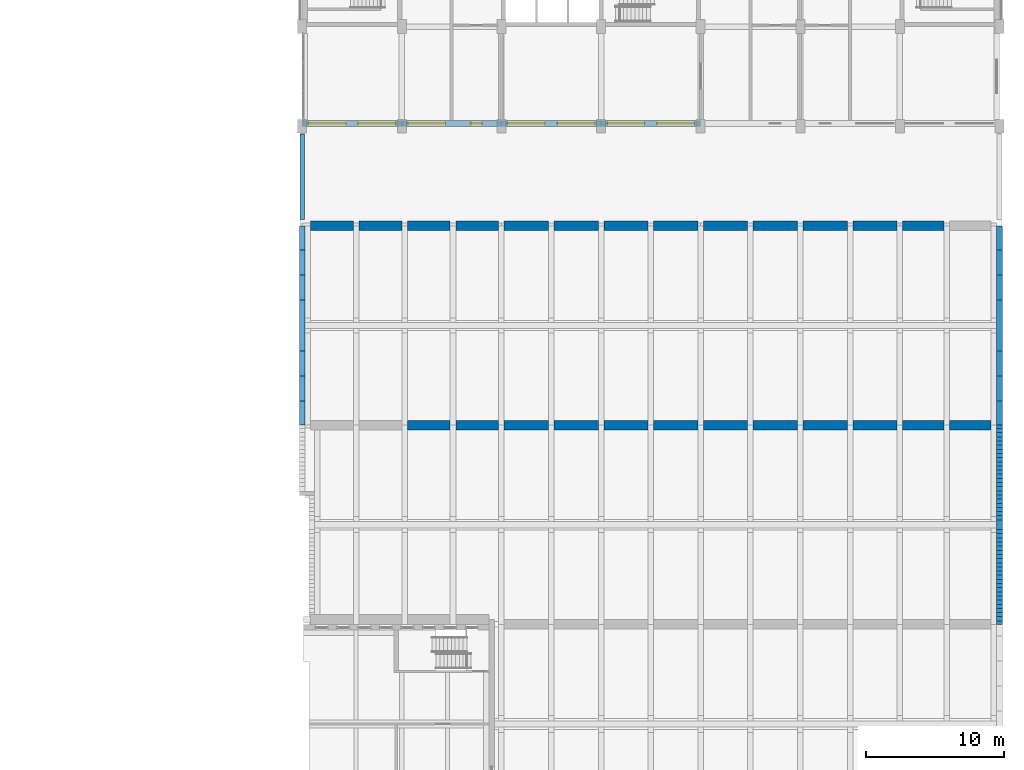
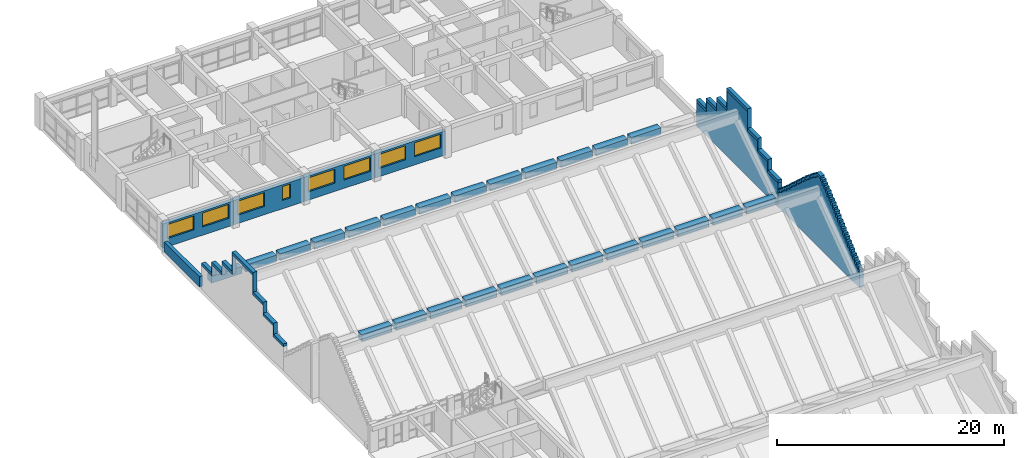
# One storey, part 25 of 31: 35 walls, 8 windows, 8 openings.
"""IFC4 building model written with IfcOpenShell, lengths in metres."""

from ifc_helpers import new_model, si_unit, direction, frame, frame_2d, origin, place, context, subcontext, project, spatial, polyline, rectangle, outline, extrude, material, layer, layer_set, type_object, element, fill, save


model = new_model("IFC4")

# Units and contexts
model_context = context("Model", 3, precision=1e-05, world=origin(), true_north=direction((0.0, 1.0)))
body_context = subcontext(model_context, "Body", "Model", "MODEL_VIEW")
ifc_project = project(units=[si_unit("LENGTHUNIT", "METRE"), si_unit("AREAUNIT", "SQUARE_METRE"), si_unit("VOLUMEUNIT", "CUBIC_METRE"), si_unit("PLANEANGLEUNIT", "RADIAN"), si_unit("MASSUNIT", "GRAM", prefix="KILO")], contexts=[model_context])

# Site, building, storey
site_placement = place(None, origin())
site = spatial("IfcSite", under=ifc_project, at=site_placement, CompositionType="ELEMENT")
building_placement = place(site_placement, origin())
building = spatial("IfcBuilding", under=site, at=building_placement, Name="Vermilion Court Aquatics Centre", CompositionType="ELEMENT")
storey_placement = place(building_placement, frame((0.0, 0.0, 16.5)))
storey = spatial("IfcBuildingStorey", under=building, at=storey_placement, Name="L03", CompositionType="ELEMENT", Elevation=16.5)

# Wall, openings, windows
ifc_material_1 = material(Name="Brick masonry", Category="masonry")
ifc_layer_1 = layer(ifc_material_1, 0.39990234375)
ifc_layer_set_1 = layer_set([ifc_layer_1], Name="North block brick facade wall 400")
wall_type_1 = type_object("IfcWallType", Name="North block brick facade wall 400", PredefinedType="SOLIDWALL", material=ifc_layer_set_1)
wall_1_placement = place(storey_placement, frame((144.0, 93.800048828125, 0.0), z_axis=(0.0, 0.0, 1.0), x_axis=(1.0, 0.0, 0.0)))
wall_1 = element("IfcWall", 1, at=wall_1_placement, inside=storey, type_object=wall_type_1, Name="Brick facade wall S1 L03", PredefinedType="SOLIDWALL", context=body_context, shape_type="SweptSolid", body=[
    extrude(rectangle(XDim=7.199951171875, YDim=0.39990234375, at=frame_2d((3.60009765625, 0.0))), origin(), (0.0, 0.0, 1.0), 2.60009765625),
])
opening_1_placement = place(wall_1_placement, frame((0.449951171875, 0.0, 0.89990234375)))
opening_1 = element("IfcOpeningElement", 2, at=opening_1_placement, cuts=wall_1, Name="Opening UWN8", PredefinedType="OPENING", context=body_context, shape_type="SweptSolid", body=[
    extrude(rectangle(XDim=2.699951171875, YDim=1.5, at=frame_2d((1.35009765625, 0.75))), frame((0.0, 0.2099609375, 0.0), z_axis=(0.0, -1.0, 0.0), x_axis=(1.0, 0.0, 0.0)), (0.0, 0.0, 1.0), 0.419921875),
])
opening_2_placement = place(wall_1_placement, frame((4.050048828125, 0.0, 0.89990234375)))
opening_2 = element("IfcOpeningElement", 3, at=opening_2_placement, cuts=wall_1, Name="Opening UWN8", PredefinedType="OPENING", context=body_context, shape_type="SweptSolid", body=[
    extrude(rectangle(XDim=2.699951171875, YDim=1.5, at=frame_2d((1.35009765625, 0.75))), frame((0.0, 0.2099609375, 0.0), z_axis=(0.0, -1.0, 0.0), x_axis=(1.0, 0.0, 0.0)), (0.0, 0.0, 1.0), 0.419921875),
])
ifc_material_2 = material(Name="Aluminium 6063-T5", Category="aluminium")
window_type_1 = type_object("IfcWindowType", Name="North block hall window 2700x1500", PartitioningType="TRIPLE_PANEL_VERTICAL", PredefinedType="WINDOW", material=ifc_material_2)
window_1_placement = place(opening_1_placement, origin())
window_1 = element("IfcWindow", 4, at=window_1_placement, inside=storey, type_object=window_type_1, Name="Window s 0 L03", OverallHeight=1.5, OverallWidth=2.699951171875, PartitioningType="TRIPLE_PANEL_VERTICAL", PredefinedType="WINDOW", context=body_context, shape_type="SweptSolid", body=[
    extrude(rectangle(XDim=2.699951171875, YDim=1.5, at=frame_2d((1.35009765625, 0.75))), frame((0.0, 0.030029296875, 0.0), z_axis=(0.0, -1.0, 0.0), x_axis=(1.0, 0.0, 0.0)), (0.0, 0.0, 1.0), 0.06005859375),
])
fill(opening_1, window_1)
window_2_placement = place(opening_2_placement, origin())
window_2 = element("IfcWindow", 5, at=window_2_placement, inside=storey, type_object=window_type_1, Name="Window s 1 L03", OverallHeight=1.5, OverallWidth=2.699951171875, PartitioningType="TRIPLE_PANEL_VERTICAL", PredefinedType="WINDOW", context=body_context, shape_type="SweptSolid", body=[
    extrude(rectangle(XDim=2.699951171875, YDim=1.5, at=frame_2d((1.35009765625, 0.75))), frame((0.0, 0.030029296875, 0.0), z_axis=(0.0, -1.0, 0.0), x_axis=(1.0, 0.0, 0.0)), (0.0, 0.0, 1.0), 0.06005859375),
])
fill(opening_2, window_2)

wall_2_placement = place(storey_placement, frame((151.199951171875, 93.800048828125, 0.0), z_axis=(0.0, 0.0, 1.0), x_axis=(1.0, 0.0, 0.0)))
wall_2 = element("IfcWall", 6, at=wall_2_placement, inside=storey, type_object=wall_type_1, Name="Brick facade wall S2 L03", PredefinedType="SOLIDWALL", context=body_context, shape_type="SweptSolid", body=[
    extrude(rectangle(XDim=7.199951171875, YDim=0.39990234375, at=frame_2d((3.60009765625, 0.0))), origin(), (0.0, 0.0, 1.0), 2.60009765625),
])
opening_3_placement = place(wall_2_placement, frame((0.449951171875, 0.0, 0.89990234375)))
opening_3 = element("IfcOpeningElement", 7, at=opening_3_placement, cuts=wall_2, Name="Opening UWN8", PredefinedType="OPENING", context=body_context, shape_type="SweptSolid", body=[
    extrude(rectangle(XDim=2.699951171875, YDim=1.5, at=frame_2d((1.35009765625, 0.75))), frame((0.0, 0.2099609375, 0.0), z_axis=(0.0, -1.0, 0.0), x_axis=(1.0, 0.0, 0.0)), (0.0, 0.0, 1.0), 0.419921875),
])
opening_4_placement = place(wall_2_placement, frame((5.0, 0.0, 0.89990234375)))
opening_4 = element("IfcOpeningElement", 8, at=opening_4_placement, cuts=wall_2, Name="Opening UWN9", PredefinedType="OPENING", context=body_context, shape_type="SweptSolid", body=[
    extrude(rectangle(XDim=0.800048828125, YDim=1.5, at=frame_2d((0.39990234375, 0.75))), frame((0.0, 0.2099609375, 0.0), z_axis=(0.0, -1.0, 0.0), x_axis=(1.0, 0.0, 0.0)), (0.0, 0.0, 1.0), 0.419921875),
])
window_3_placement = place(opening_3_placement, origin())
window_3 = element("IfcWindow", 9, at=window_3_placement, inside=storey, type_object=window_type_1, Name="Window s 2 L03", OverallHeight=1.5, OverallWidth=2.699951171875, PartitioningType="TRIPLE_PANEL_VERTICAL", PredefinedType="WINDOW", context=body_context, shape_type="SweptSolid", body=[
    extrude(rectangle(XDim=2.699951171875, YDim=1.5, at=frame_2d((1.35009765625, 0.75))), frame((0.0, 0.030029296875, 0.0), z_axis=(0.0, -1.0, 0.0), x_axis=(1.0, 0.0, 0.0)), (0.0, 0.0, 1.0), 0.06005859375),
])
fill(opening_3, window_3)
ifc_material_3 = material(Name="Aluminium 6063-T5", Category="aluminium")
window_type_2 = type_object("IfcWindowType", Name="North block service room window 800x1500", PartitioningType="SINGLE_PANEL", PredefinedType="WINDOW", material=ifc_material_3)
window_4_placement = place(opening_4_placement, origin())
window_4 = element("IfcWindow", 10, at=window_4_placement, inside=storey, type_object=window_type_2, Name="Store window 0302 L03", OverallHeight=1.5, OverallWidth=0.800048828125, PartitioningType="SINGLE_PANEL", PredefinedType="WINDOW", context=body_context, shape_type="SweptSolid", body=[
    extrude(rectangle(XDim=0.800048828125, YDim=1.5, at=frame_2d((0.39990234375, 0.75))), frame((0.0, 0.030029296875, 0.0), z_axis=(0.0, -1.0, 0.0), x_axis=(1.0, 0.0, 0.0)), (0.0, 0.0, 1.0), 0.06005859375),
])
fill(opening_4, window_4)

wall_3_placement = place(storey_placement, frame((158.39990234375, 93.800048828125, 0.0), z_axis=(0.0, 0.0, 1.0), x_axis=(1.0, 0.0, 0.0)))
wall_3 = element("IfcWall", 11, at=wall_3_placement, inside=storey, type_object=wall_type_1, Name="Brick facade wall S3 L03", PredefinedType="SOLIDWALL", context=body_context, shape_type="SweptSolid", body=[
    extrude(rectangle(XDim=7.2001953125, YDim=0.39990234375, at=frame_2d((3.60009765625, 0.0))), origin(), (0.0, 0.0, 1.0), 2.60009765625),
])
opening_5_placement = place(wall_3_placement, frame((0.449951171875, 0.0, 0.89990234375)))
opening_5 = element("IfcOpeningElement", 12, at=opening_5_placement, cuts=wall_3, Name="Opening UWN8", PredefinedType="OPENING", context=body_context, shape_type="SweptSolid", body=[
    extrude(rectangle(XDim=2.699951171875, YDim=1.5, at=frame_2d((1.35009765625, 0.75))), frame((0.0, 0.2099609375, 0.0), z_axis=(0.0, -1.0, 0.0), x_axis=(1.0, 0.0, 0.0)), (0.0, 0.0, 1.0), 0.419921875),
])
opening_6_placement = place(wall_3_placement, frame((4.050048828125, 0.0, 0.89990234375)))
opening_6 = element("IfcOpeningElement", 13, at=opening_6_placement, cuts=wall_3, Name="Opening UWN8", PredefinedType="OPENING", context=body_context, shape_type="SweptSolid", body=[
    extrude(rectangle(XDim=2.699951171875, YDim=1.5, at=frame_2d((1.35009765625, 0.75))), frame((0.0, 0.2099609375, 0.0), z_axis=(0.0, -1.0, 0.0), x_axis=(1.0, 0.0, 0.0)), (0.0, 0.0, 1.0), 0.419921875),
])
window_5_placement = place(opening_5_placement, origin())
window_5 = element("IfcWindow", 14, at=window_5_placement, inside=storey, type_object=window_type_1, Name="Window s 4 L03", OverallHeight=1.5, OverallWidth=2.699951171875, PartitioningType="TRIPLE_PANEL_VERTICAL", PredefinedType="WINDOW", context=body_context, shape_type="SweptSolid", body=[
    extrude(rectangle(XDim=2.699951171875, YDim=1.5, at=frame_2d((1.35009765625, 0.75))), frame((0.0, 0.030029296875, 0.0), z_axis=(0.0, -1.0, 0.0), x_axis=(1.0, 0.0, 0.0)), (0.0, 0.0, 1.0), 0.06005859375),
])
fill(opening_5, window_5)
window_6_placement = place(opening_6_placement, origin())
window_6 = element("IfcWindow", 15, at=window_6_placement, inside=storey, type_object=window_type_1, Name="Window s 5 L03", OverallHeight=1.5, OverallWidth=2.699951171875, PartitioningType="TRIPLE_PANEL_VERTICAL", PredefinedType="WINDOW", context=body_context, shape_type="SweptSolid", body=[
    extrude(rectangle(XDim=2.699951171875, YDim=1.5, at=frame_2d((1.35009765625, 0.75))), frame((0.0, 0.030029296875, 0.0), z_axis=(0.0, -1.0, 0.0), x_axis=(1.0, 0.0, 0.0)), (0.0, 0.0, 1.0), 0.06005859375),
])
fill(opening_6, window_6)

wall_4_placement = place(storey_placement, frame((165.60009765625, 93.800048828125, 0.0), z_axis=(0.0, 0.0, 1.0), x_axis=(1.0, 0.0, 0.0)))
wall_4 = element("IfcWall", 16, at=wall_4_placement, inside=storey, type_object=wall_type_1, Name="Brick facade wall S4 L03", PredefinedType="SOLIDWALL", context=body_context, shape_type="SweptSolid", body=[
    extrude(rectangle(XDim=7.199951171875, YDim=0.39990234375, at=frame_2d((3.60009765625, 0.0))), origin(), (0.0, 0.0, 1.0), 2.60009765625),
])
opening_7_placement = place(wall_4_placement, frame((0.449951171875, 0.0, 0.89990234375)))
opening_7 = element("IfcOpeningElement", 17, at=opening_7_placement, cuts=wall_4, Name="Opening UWN8", PredefinedType="OPENING", context=body_context, shape_type="SweptSolid", body=[
    extrude(rectangle(XDim=2.699951171875, YDim=1.5, at=frame_2d((1.35009765625, 0.75))), frame((0.0, 0.2099609375, 0.0), z_axis=(0.0, -1.0, 0.0), x_axis=(1.0, 0.0, 0.0)), (0.0, 0.0, 1.0), 0.419921875),
])
opening_8_placement = place(wall_4_placement, frame((4.050048828125, 0.0, 0.89990234375)))
opening_8 = element("IfcOpeningElement", 18, at=opening_8_placement, cuts=wall_4, Name="Opening UWN8", PredefinedType="OPENING", context=body_context, shape_type="SweptSolid", body=[
    extrude(rectangle(XDim=2.699951171875, YDim=1.5, at=frame_2d((1.35009765625, 0.75))), frame((0.0, 0.2099609375, 0.0), z_axis=(0.0, -1.0, 0.0), x_axis=(1.0, 0.0, 0.0)), (0.0, 0.0, 1.0), 0.419921875),
])
window_7_placement = place(opening_7_placement, origin())
window_7 = element("IfcWindow", 19, at=window_7_placement, inside=storey, type_object=window_type_1, Name="Window s 6 L03", OverallHeight=1.5, OverallWidth=2.699951171875, PartitioningType="TRIPLE_PANEL_VERTICAL", PredefinedType="WINDOW", context=body_context, shape_type="SweptSolid", body=[
    extrude(rectangle(XDim=2.699951171875, YDim=1.5, at=frame_2d((1.35009765625, 0.75))), frame((0.0, 0.030029296875, 0.0), z_axis=(0.0, -1.0, 0.0), x_axis=(1.0, 0.0, 0.0)), (0.0, 0.0, 1.0), 0.06005859375),
])
fill(opening_7, window_7)
window_8_placement = place(opening_8_placement, origin())
window_8 = element("IfcWindow", 20, at=window_8_placement, inside=storey, type_object=window_type_1, Name="Window s 7 L03", OverallHeight=1.5, OverallWidth=2.699951171875, PartitioningType="TRIPLE_PANEL_VERTICAL", PredefinedType="WINDOW", context=body_context, shape_type="SweptSolid", body=[
    extrude(rectangle(XDim=2.699951171875, YDim=1.5, at=frame_2d((1.35009765625, 0.75))), frame((0.0, 0.030029296875, 0.0), z_axis=(0.0, -1.0, 0.0), x_axis=(1.0, 0.0, 0.0)), (0.0, 0.0, 1.0), 0.06005859375),
])
fill(opening_8, window_8)

# Walls
ifc_material_4 = material(Name="Brick masonry", Category="masonry")
ifc_layer_2 = layer(ifc_material_4, 0.39990234375)
ifc_layer_set_2 = layer_set([ifc_layer_2], Name="Podium bell gable wall 400")
wall_type_2 = type_object("IfcWallType", Name="Podium bell gable wall 400", PredefinedType="SOLIDWALL", material=ifc_layer_set_2)
wall_5_placement = place(storey_placement, frame((194.39990234375, 57.60009765625, 0.0), z_axis=(0.0, 0.0, 1.0), x_axis=(0.0, 1.0, 0.0)))
element("IfcWall", 21, at=wall_5_placement, inside=storey, type_object=wall_type_2, Name="Bell gable wall", PredefinedType="SOLIDWALL", context=body_context, shape_type="SweptSolid", body=[
    extrude(outline(polyline([(0.0, 0.0), (14.39990234375, 0.0), (14.39990234375, 1.64990234375), (14.10009765625, 1.64990234375), (14.10009765625, 1.875), (13.800048828125, 1.875), (13.800048828125, 2.10009765625), (13.5, 2.10009765625), (13.5, 2.39990234375), (13.199951171875, 2.39990234375), (13.199951171875, 2.625), (12.89990234375, 2.625), (12.89990234375, 2.925048828125), (12.60009765625, 2.925048828125), (12.60009765625, 3.14990234375), (12.300048828125, 3.14990234375), (12.300048828125, 3.449951171875), (12.0, 3.449951171875), (12.0, 3.75), (11.699951171875, 3.75), (11.699951171875, 3.97509765625), (11.39990234375, 3.97509765625), (11.39990234375, 4.27490234375), (11.10009765625, 4.27490234375), (11.10009765625, 4.574951171875), (10.800048828125, 4.574951171875), (10.800048828125, 4.800048828125), (10.5, 4.800048828125), (10.5, 5.10009765625), (10.199951171875, 5.10009765625), (10.199951171875, 5.39990234375), (9.89990234375, 5.39990234375), (9.89990234375, 5.625), (9.60009765625, 5.625), (9.60009765625, 5.925048828125), (9.300048828125, 5.925048828125), (9.300048828125, 6.14990234375), (9.0, 6.14990234375), (9.0, 6.375), (8.699951171875, 6.375), (8.699951171875, 6.675048828125), (8.39990234375, 6.675048828125), (8.39990234375, 6.89990234375), (8.10009765625, 6.89990234375), (8.10009765625, 7.125), (7.800048828125, 7.125), (7.800048828125, 7.35009765625), (7.5, 7.35009765625), (7.5, 7.574951171875), (7.199951171875, 7.574951171875), (7.199951171875, 7.574951171875), (6.89990234375, 7.574951171875), (6.89990234375, 7.35009765625), (6.60009765625, 7.35009765625), (6.60009765625, 7.125), (6.300048828125, 7.125), (6.300048828125, 6.89990234375), (6.0, 6.89990234375), (6.0, 6.675048828125), (5.699951171875, 6.675048828125), (5.699951171875, 6.375), (5.39990234375, 6.375), (5.39990234375, 6.14990234375), (5.10009765625, 6.14990234375), (5.10009765625, 5.925048828125), (4.800048828125, 5.925048828125), (4.800048828125, 5.625), (4.5, 5.625), (4.5, 5.39990234375), (4.199951171875, 5.39990234375), (4.199951171875, 5.10009765625), (3.89990234375, 5.10009765625), (3.89990234375, 4.800048828125), (3.60009765625, 4.800048828125), (3.60009765625, 4.574951171875), (3.300048828125, 4.574951171875), (3.300048828125, 4.27490234375), (3.0, 4.27490234375), (3.0, 3.97509765625), (2.699951171875, 3.97509765625), (2.699951171875, 3.75), (2.39990234375, 3.75), (2.39990234375, 3.449951171875), (2.10009765625, 3.449951171875), (2.10009765625, 3.14990234375), (1.800048828125, 3.14990234375), (1.800048828125, 2.925048828125), (1.5, 2.925048828125), (1.5, 2.625), (1.199951171875, 2.625), (1.199951171875, 2.39990234375), (0.89990234375, 2.39990234375), (0.89990234375, 2.10009765625), (0.60009765625, 2.10009765625), (0.60009765625, 1.875), (0.300048828125, 1.875), (0.300048828125, 1.64990234375), (0.0, 1.64990234375), (0.0, 0.0)])), frame((0.0, 0.199951171875, 0.0), z_axis=(0.0, -1.0, 0.0), x_axis=(1.0, 0.0, 0.0)), (0.0, 0.0, 1.0), 0.39990234375),
])
ifc_material_5 = material(Name="Brick masonry", Category="masonry")
ifc_layer_3 = layer(ifc_material_5, 0.35009765625)
ifc_layer_set_3 = layer_set([ifc_layer_3], Name="Podium parapet brick wall 350")
wall_type_3 = type_object("IfcWallType", Name="Podium parapet brick wall 350", PredefinedType="PARAPET", material=ifc_layer_set_3)
wall_6_placement = place(storey_placement, frame((144.0, 86.85009765625, 0.0), z_axis=(0.0, 0.0, 1.0), x_axis=(0.0, 1.0, 0.0)))
element("IfcWall", 22, at=wall_6_placement, inside=storey, type_object=wall_type_3, Name="Roof parapet", PredefinedType="PARAPET", context=body_context, shape_type="SweptSolid", body=[
    extrude(rectangle(XDim=6.199951171875, YDim=0.35009765625, at=frame_2d((3.10009765625, 0.0))), origin(), (0.0, 0.0, 1.0), 1.10009765625),
])
ifc_material_6 = material(Name="Brick masonry", Category="masonry")
ifc_layer_4 = layer(ifc_material_6, 0.39990234375)
ifc_layer_set_4 = layer_set([ifc_layer_4], Name="Podium raised-centre gable wall 400")
wall_type_4 = type_object("IfcWallType", Name="Podium raised-centre gable wall 400", PredefinedType="SOLIDWALL", material=ifc_layer_set_4)
wall_7_placement = place(storey_placement, frame((194.39990234375, 72.0, 0.0), z_axis=(0.0, 0.0, 1.0), x_axis=(0.0, 1.0, 0.0)))
element("IfcWall", 23, at=wall_7_placement, inside=storey, type_object=wall_type_4, Name="Raised-centre gable wall", PredefinedType="SOLIDWALL", context=body_context, shape_type="SweptSolid", body=[
    extrude(outline(polyline([(0.0, 0.0), (14.39990234375, 0.0), (14.39990234375, 2.56982421875), (12.60009765625, 2.56982421875), (12.60009765625, 3.73876953125), (10.800048828125, 3.73876953125), (10.800048828125, 4.90771484375), (9.0, 4.90771484375), (9.0, 7.01708984375), (7.199951171875, 7.01708984375), (7.199951171875, 7.01708984375), (5.39990234375, 7.01708984375), (5.39990234375, 4.90771484375), (3.60009765625, 4.90771484375), (3.60009765625, 3.73876953125), (1.800048828125, 3.73876953125), (1.800048828125, 2.56982421875), (0.0, 2.56982421875), (0.0, 0.0)])), frame((0.0, 0.199951171875, 0.0), z_axis=(0.0, -1.0, 0.0), x_axis=(1.0, 0.0, 0.0)), (0.0, 0.0, 1.0), 0.39990234375),
])
ifc_material_7 = material(Name="Terracotta cladding", Category="masonry")
ifc_layer_5 = layer(ifc_material_7, 0.39990234375)
ifc_layer_set_5 = layer_set([ifc_layer_5], Name="Podium terracotta gable coping 400")
wall_type_5 = type_object("IfcWallType", Name="Podium terracotta gable coping 400", PredefinedType="PARAPET", material=ifc_layer_set_5)
wall_8_placement = place(storey_placement, frame((194.39990234375, 57.60009765625, 0.0), z_axis=(0.0, 0.0, 1.0), x_axis=(0.0, 1.0, 0.0)))
element("IfcWall", 24, at=wall_8_placement, inside=storey, type_object=wall_type_5, Name="Terracotta gable coping", PredefinedType="PARAPET", context=body_context, shape_type="SweptSolid", body=[
    extrude(outline(polyline([(0.0, 1.64990234375), (0.300048828125, 1.64990234375), (0.300048828125, 1.875), (0.60009765625, 1.875), (0.60009765625, 2.10009765625), (0.89990234375, 2.10009765625), (0.89990234375, 2.39990234375), (1.199951171875, 2.39990234375), (1.199951171875, 2.625), (1.5, 2.625), (1.5, 2.925048828125), (1.800048828125, 2.925048828125), (1.800048828125, 3.14990234375), (2.10009765625, 3.14990234375), (2.10009765625, 3.449951171875), (2.39990234375, 3.449951171875), (2.39990234375, 3.75), (2.699951171875, 3.75), (2.699951171875, 3.97509765625), (3.0, 3.97509765625), (3.0, 4.27490234375), (3.300048828125, 4.27490234375), (3.300048828125, 4.574951171875), (3.60009765625, 4.574951171875), (3.60009765625, 4.800048828125), (3.89990234375, 4.800048828125), (3.89990234375, 5.10009765625), (4.199951171875, 5.10009765625), (4.199951171875, 5.39990234375), (4.5, 5.39990234375), (4.5, 5.625), (4.800048828125, 5.625), (4.800048828125, 5.925048828125), (5.10009765625, 5.925048828125), (5.10009765625, 6.14990234375), (5.39990234375, 6.14990234375), (5.39990234375, 6.375), (5.699951171875, 6.375), (5.699951171875, 6.675048828125), (6.0, 6.675048828125), (6.0, 6.89990234375), (6.300048828125, 6.89990234375), (6.300048828125, 7.125), (6.60009765625, 7.125), (6.60009765625, 7.35009765625), (6.89990234375, 7.35009765625), (6.89990234375, 7.574951171875), (7.199951171875, 7.574951171875), (7.199951171875, 7.574951171875), (7.5, 7.574951171875), (7.5, 7.35009765625), (7.800048828125, 7.35009765625), (7.800048828125, 7.125), (8.10009765625, 7.125), (8.10009765625, 6.89990234375), (8.39990234375, 6.89990234375), (8.39990234375, 6.675048828125), (8.699951171875, 6.675048828125), (8.699951171875, 6.375), (9.0, 6.375), (9.0, 6.14990234375), (9.300048828125, 6.14990234375), (9.300048828125, 5.925048828125), (9.60009765625, 5.925048828125), (9.60009765625, 5.625), (9.89990234375, 5.625), (9.89990234375, 5.39990234375), (10.199951171875, 5.39990234375), (10.199951171875, 5.10009765625), (10.5, 5.10009765625), (10.5, 4.800048828125), (10.800048828125, 4.800048828125), (10.800048828125, 4.574951171875), (11.10009765625, 4.574951171875), (11.10009765625, 4.27490234375), (11.39990234375, 4.27490234375), (11.39990234375, 3.97509765625), (11.699951171875, 3.97509765625), (11.699951171875, 3.75), (12.0, 3.75), (12.0, 3.449951171875), (12.300048828125, 3.449951171875), (12.300048828125, 3.14990234375), (12.60009765625, 3.14990234375), (12.60009765625, 2.925048828125), (12.89990234375, 2.925048828125), (12.89990234375, 2.625), (13.199951171875, 2.625), (13.199951171875, 2.39990234375), (13.5, 2.39990234375), (13.5, 2.10009765625), (13.800048828125, 2.10009765625), (13.800048828125, 1.875), (14.10009765625, 1.875), (14.10009765625, 1.64990234375), (14.39990234375, 1.64990234375), (14.39990234375, 1.949951171875), (14.14990234375, 1.949951171875), (14.14990234375, 2.175048828125), (13.85009765625, 2.175048828125), (13.85009765625, 2.39990234375), (13.550048828125, 2.39990234375), (13.550048828125, 2.699951171875), (13.25, 2.699951171875), (13.25, 2.925048828125), (12.949951171875, 2.925048828125), (12.949951171875, 3.22509765625), (12.64990234375, 3.22509765625), (12.64990234375, 3.449951171875), (12.35009765625, 3.449951171875), (12.35009765625, 3.75), (12.050048828125, 3.75), (12.050048828125, 4.050048828125), (11.75, 4.050048828125), (11.75, 4.27490234375), (11.449951171875, 4.27490234375), (11.449951171875, 4.574951171875), (11.14990234375, 4.574951171875), (11.14990234375, 4.875), (10.85009765625, 4.875), (10.85009765625, 5.10009765625), (10.550048828125, 5.10009765625), (10.550048828125, 5.39990234375), (10.25, 5.39990234375), (10.25, 5.699951171875), (9.949951171875, 5.699951171875), (9.949951171875, 5.925048828125), (9.64990234375, 5.925048828125), (9.64990234375, 6.22509765625), (9.35009765625, 6.22509765625), (9.35009765625, 6.449951171875), (9.050048828125, 6.449951171875), (9.050048828125, 6.675048828125), (8.75, 6.675048828125), (8.75, 6.97509765625), (8.449951171875, 6.97509765625), (8.449951171875, 7.199951171875), (8.14990234375, 7.199951171875), (8.14990234375, 7.425048828125), (7.85009765625, 7.425048828125), (7.85009765625, 7.64990234375), (7.550048828125, 7.64990234375), (7.550048828125, 7.875), (7.14990234375, 7.875), (7.14990234375, 7.875), (6.85009765625, 7.875), (6.85009765625, 7.64990234375), (6.550048828125, 7.64990234375), (6.550048828125, 7.425048828125), (6.25, 7.425048828125), (6.25, 7.199951171875), (5.949951171875, 7.199951171875), (5.949951171875, 6.97509765625), (5.64990234375, 6.97509765625), (5.64990234375, 6.675048828125), (5.35009765625, 6.675048828125), (5.35009765625, 6.449951171875), (5.050048828125, 6.449951171875), (5.050048828125, 6.22509765625), (4.75, 6.22509765625), (4.75, 5.925048828125), (4.449951171875, 5.925048828125), (4.449951171875, 5.699951171875), (4.14990234375, 5.699951171875), (4.14990234375, 5.39990234375), (3.85009765625, 5.39990234375), (3.85009765625, 5.10009765625), (3.550048828125, 5.10009765625), (3.550048828125, 4.875), (3.25, 4.875), (3.25, 4.574951171875), (2.949951171875, 4.574951171875), (2.949951171875, 4.27490234375), (2.64990234375, 4.27490234375), (2.64990234375, 4.050048828125), (2.35009765625, 4.050048828125), (2.35009765625, 3.75), (2.050048828125, 3.75), (2.050048828125, 3.449951171875), (1.75, 3.449951171875), (1.75, 3.22509765625), (1.449951171875, 3.22509765625), (1.449951171875, 2.925048828125), (1.14990234375, 2.925048828125), (1.14990234375, 2.699951171875), (0.85009765625, 2.699951171875), (0.85009765625, 2.39990234375), (0.550048828125, 2.39990234375), (0.550048828125, 2.175048828125), (0.25, 2.175048828125), (0.25, 1.949951171875), (0.0, 1.949951171875), (0.0, 1.64990234375)])), frame((0.0, 0.199951171875, 0.0), z_axis=(0.0, -1.0, 0.0), x_axis=(1.0, 0.0, 0.0)), (0.0, 0.0, 1.0), 0.39990234375),
])
for number, where, z_axis, x_axis, name in (
    (25, (194.39990234375, 72.0, 0.0), (0.0, 0.0, 1.0), (0.0, 1.0, 0.0), "Terracotta gable coping"),
    (26, (144.0, 72.0, 0.0), (0.0, 0.0, 1.0), (0.0, 1.0, 0.0), "Terracotta gable coping"),
):
    element("IfcWall", number, at=place(storey_placement, frame(where, z_axis=z_axis, x_axis=x_axis)), inside=storey, type_object=wall_type_5, Name=name, PredefinedType="PARAPET", context=body_context, shape_type="SweptSolid", body=[
        extrude(outline(polyline([(0.0, 2.56982421875), (1.800048828125, 2.56982421875), (1.800048828125, 3.73876953125), (3.60009765625, 3.73876953125), (3.60009765625, 4.90771484375), (5.39990234375, 4.90771484375), (5.39990234375, 7.01708984375), (7.199951171875, 7.01708984375), (7.199951171875, 7.01708984375), (9.0, 7.01708984375), (9.0, 4.90771484375), (10.800048828125, 4.90771484375), (10.800048828125, 3.73876953125), (12.60009765625, 3.73876953125), (12.60009765625, 2.56982421875), (14.39990234375, 2.56982421875), (14.39990234375, 2.869873046875), (12.64990234375, 2.869873046875), (12.64990234375, 4.038818359375), (10.85009765625, 4.038818359375), (10.85009765625, 5.207763671875), (9.050048828125, 5.207763671875), (9.050048828125, 7.317138671875), (7.14990234375, 7.317138671875), (7.14990234375, 7.317138671875), (5.35009765625, 7.317138671875), (5.35009765625, 5.207763671875), (3.550048828125, 5.207763671875), (3.550048828125, 4.038818359375), (1.75, 4.038818359375), (1.75, 2.869873046875), (0.0, 2.869873046875), (0.0, 2.56982421875)])), frame((0.0, 0.199951171875, 0.0), z_axis=(0.0, -1.0, 0.0), x_axis=(1.0, 0.0, 0.0)), (0.0, 0.0, 1.0), 0.39990234375),
    ])
ifc_material_8 = material(Name="Brick masonry", Category="masonry")
ifc_layer_6 = layer(ifc_material_8, 0.699951171875)
ifc_layer_set_6 = layer_set([ifc_layer_6], Name="Podium valley upstand wall 700")
wall_type_6 = type_object("IfcWallType", Name="Podium valley upstand wall 700", PredefinedType="SOLIDWALL", material=ifc_layer_set_6)
for number, where, z_axis, x_axis, name in (
    (27, (151.60009765625, 72.0, 0.60009765625), (0.0, 0.0, 1.0), (1.0, 0.0, 0.0), "Valley upstand wall"),
    (28, (155.10009765625, 72.0, 0.60009765625), (0.0, 0.0, 1.0), (1.0, 0.0, 0.0), "Valley upstand wall"),
):
    element("IfcWall", number, at=place(storey_placement, frame(where, z_axis=z_axis, x_axis=x_axis)), inside=storey, type_object=wall_type_6, Name=name, PredefinedType="SOLIDWALL", context=body_context, shape_type="SweptSolid", body=[
        extrude(rectangle(XDim=3.099853515625, YDim=0.699951171875, at=frame_2d((1.5498046875, 0.0))), origin(), (0.0, 0.0, 1.0), 0.72998046875),
    ])
for number, where, z_axis, x_axis, name in (
    (29, (158.60009765625, 72.0, 0.60009765625), (0.0, 0.0, 1.0), (1.0, 0.0, 0.0), "Valley upstand wall"),
    (30, (162.199951171875, 72.0, 0.60009765625), (0.0, 0.0, 1.0), (1.0, 0.0, 0.0), "Valley upstand wall"),
    (31, (165.800048828125, 72.0, 0.60009765625), (0.0, 0.0, 1.0), (1.0, 0.0, 0.0), "Valley upstand wall"),
):
    element("IfcWall", number, at=place(storey_placement, frame(where, z_axis=z_axis, x_axis=x_axis)), inside=storey, type_object=wall_type_6, Name=name, PredefinedType="SOLIDWALL", context=body_context, shape_type="SweptSolid", body=[
        extrude(rectangle(XDim=3.199951171875, YDim=0.699951171875, at=frame_2d((1.60009765625, 0.0))), origin(), (0.0, 0.0, 1.0), 0.72998046875),
    ])
wall_9_placement = place(storey_placement, frame((169.39990234375, 72.0, 0.60009765625), z_axis=(0.0, 0.0, 1.0), x_axis=(1.0, 0.0, 0.0)))
element("IfcWall", 32, at=wall_9_placement, inside=storey, type_object=wall_type_6, Name="Valley upstand wall", PredefinedType="SOLIDWALL", context=body_context, shape_type="SweptSolid", body=[
    extrude(rectangle(XDim=3.2001953125, YDim=0.699951171875, at=frame_2d((1.60009765625, 0.0))), origin(), (0.0, 0.0, 1.0), 0.72998046875),
])
for number, where, z_axis, x_axis, name in (
    (33, (173.0, 72.0, 0.60009765625), (0.0, 0.0, 1.0), (1.0, 0.0, 0.0), "Valley upstand wall"),
    (34, (176.60009765625, 72.0, 0.60009765625), (0.0, 0.0, 1.0), (1.0, 0.0, 0.0), "Valley upstand wall"),
    (35, (180.199951171875, 72.0, 0.60009765625), (0.0, 0.0, 1.0), (1.0, 0.0, 0.0), "Valley upstand wall"),
    (36, (183.800048828125, 72.0, 0.60009765625), (0.0, 0.0, 1.0), (1.0, 0.0, 0.0), "Valley upstand wall"),
):
    element("IfcWall", number, at=place(storey_placement, frame(where, z_axis=z_axis, x_axis=x_axis)), inside=storey, type_object=wall_type_6, Name=name, PredefinedType="SOLIDWALL", context=body_context, shape_type="SweptSolid", body=[
        extrude(rectangle(XDim=3.199951171875, YDim=0.699951171875, at=frame_2d((1.60009765625, 0.0))), origin(), (0.0, 0.0, 1.0), 0.72998046875),
    ])
for number, where, z_axis, x_axis, name in (
    (37, (187.39990234375, 72.0, 0.60009765625), (0.0, 0.0, 1.0), (1.0, 0.0, 0.0), "Valley upstand wall"),
    (38, (190.800048828125, 72.0, 0.60009765625), (0.0, 0.0, 1.0), (1.0, 0.0, 0.0), "Valley upstand wall"),
):
    element("IfcWall", number, at=place(storey_placement, frame(where, z_axis=z_axis, x_axis=x_axis)), inside=storey, type_object=wall_type_6, Name=name, PredefinedType="SOLIDWALL", context=body_context, shape_type="SweptSolid", body=[
        extrude(rectangle(XDim=3.0, YDim=0.699951171875, at=frame_2d((1.5, 0.0))), origin(), (0.0, 0.0, 1.0), 0.72998046875),
    ])
for number, where, z_axis, x_axis, name in (
    (39, (144.60009765625, 86.39990234375, 0.60009765625), (0.0, 0.0, 1.0), (1.0, 0.0, 0.0), "Valley upstand wall"),
    (40, (148.10009765625, 86.39990234375, 0.60009765625), (0.0, 0.0, 1.0), (1.0, 0.0, 0.0), "Valley upstand wall"),
    (41, (151.60009765625, 86.39990234375, 0.60009765625), (0.0, 0.0, 1.0), (1.0, 0.0, 0.0), "Valley upstand wall"),
    (42, (155.10009765625, 86.39990234375, 0.60009765625), (0.0, 0.0, 1.0), (1.0, 0.0, 0.0), "Valley upstand wall"),
):
    element("IfcWall", number, at=place(storey_placement, frame(where, z_axis=z_axis, x_axis=x_axis)), inside=storey, type_object=wall_type_6, Name=name, PredefinedType="SOLIDWALL", context=body_context, shape_type="SweptSolid", body=[
        extrude(rectangle(XDim=3.099853515625, YDim=0.699951171875, at=frame_2d((1.5498046875, 0.0))), origin(), (0.0, 0.0, 1.0), 0.72998046875),
    ])
for number, where, z_axis, x_axis, name in (
    (43, (158.60009765625, 86.39990234375, 0.60009765625), (0.0, 0.0, 1.0), (1.0, 0.0, 0.0), "Valley upstand wall"),
    (44, (162.199951171875, 86.39990234375, 0.60009765625), (0.0, 0.0, 1.0), (1.0, 0.0, 0.0), "Valley upstand wall"),
    (45, (165.800048828125, 86.39990234375, 0.60009765625), (0.0, 0.0, 1.0), (1.0, 0.0, 0.0), "Valley upstand wall"),
):
    element("IfcWall", number, at=place(storey_placement, frame(where, z_axis=z_axis, x_axis=x_axis)), inside=storey, type_object=wall_type_6, Name=name, PredefinedType="SOLIDWALL", context=body_context, shape_type="SweptSolid", body=[
        extrude(rectangle(XDim=3.199951171875, YDim=0.699951171875, at=frame_2d((1.60009765625, 0.0))), origin(), (0.0, 0.0, 1.0), 0.72998046875),
    ])
wall_10_placement = place(storey_placement, frame((169.39990234375, 86.39990234375, 0.60009765625), z_axis=(0.0, 0.0, 1.0), x_axis=(1.0, 0.0, 0.0)))
element("IfcWall", 46, at=wall_10_placement, inside=storey, type_object=wall_type_6, Name="Valley upstand wall", PredefinedType="SOLIDWALL", context=body_context, shape_type="SweptSolid", body=[
    extrude(rectangle(XDim=3.2001953125, YDim=0.699951171875, at=frame_2d((1.60009765625, 0.0))), origin(), (0.0, 0.0, 1.0), 0.72998046875),
])
for number, where, z_axis, x_axis, name in (
    (47, (173.0, 86.39990234375, 0.60009765625), (0.0, 0.0, 1.0), (1.0, 0.0, 0.0), "Valley upstand wall"),
    (48, (176.60009765625, 86.39990234375, 0.60009765625), (0.0, 0.0, 1.0), (1.0, 0.0, 0.0), "Valley upstand wall"),
    (49, (180.199951171875, 86.39990234375, 0.60009765625), (0.0, 0.0, 1.0), (1.0, 0.0, 0.0), "Valley upstand wall"),
    (50, (183.800048828125, 86.39990234375, 0.60009765625), (0.0, 0.0, 1.0), (1.0, 0.0, 0.0), "Valley upstand wall"),
):
    element("IfcWall", number, at=place(storey_placement, frame(where, z_axis=z_axis, x_axis=x_axis)), inside=storey, type_object=wall_type_6, Name=name, PredefinedType="SOLIDWALL", context=body_context, shape_type="SweptSolid", body=[
        extrude(rectangle(XDim=3.199951171875, YDim=0.699951171875, at=frame_2d((1.60009765625, 0.0))), origin(), (0.0, 0.0, 1.0), 0.72998046875),
    ])
wall_11_placement = place(storey_placement, frame((187.39990234375, 86.39990234375, 0.60009765625), z_axis=(0.0, 0.0, 1.0), x_axis=(1.0, 0.0, 0.0)))
element("IfcWall", 51, at=wall_11_placement, inside=storey, type_object=wall_type_6, Name="Valley upstand wall", PredefinedType="SOLIDWALL", context=body_context, shape_type="SweptSolid", body=[
    extrude(rectangle(XDim=3.0, YDim=0.699951171875, at=frame_2d((1.5, 0.0))), origin(), (0.0, 0.0, 1.0), 0.72998046875),
])

save(model, "model.ifc")
